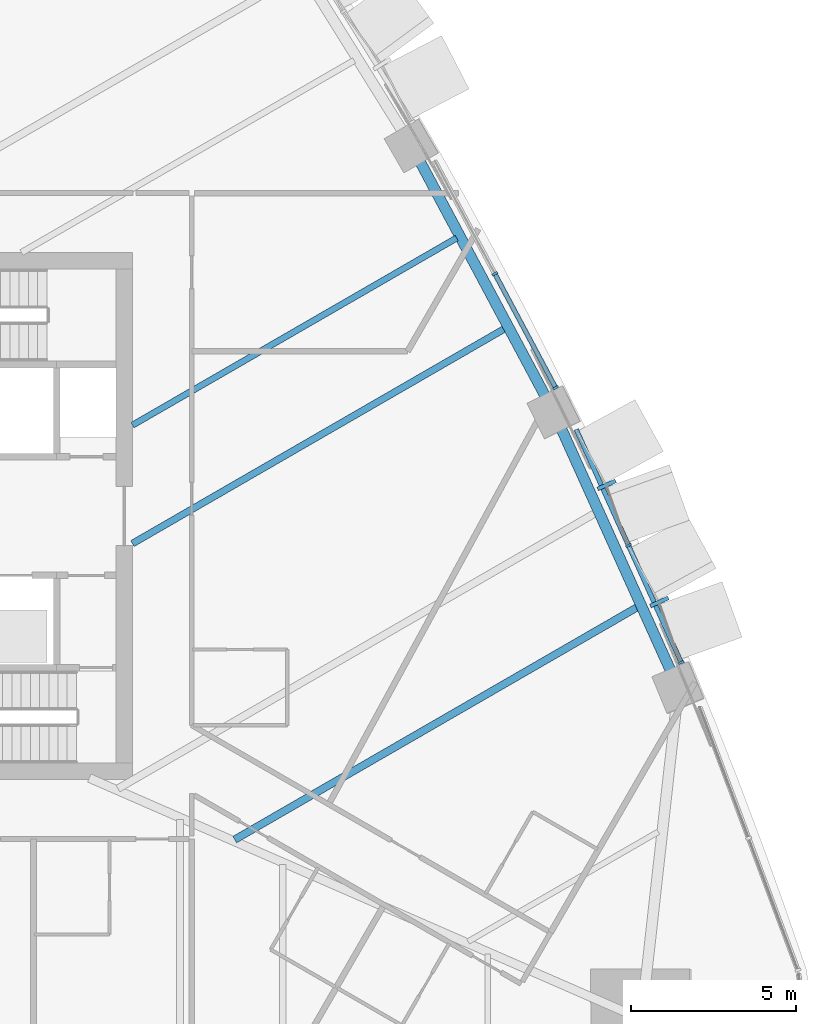
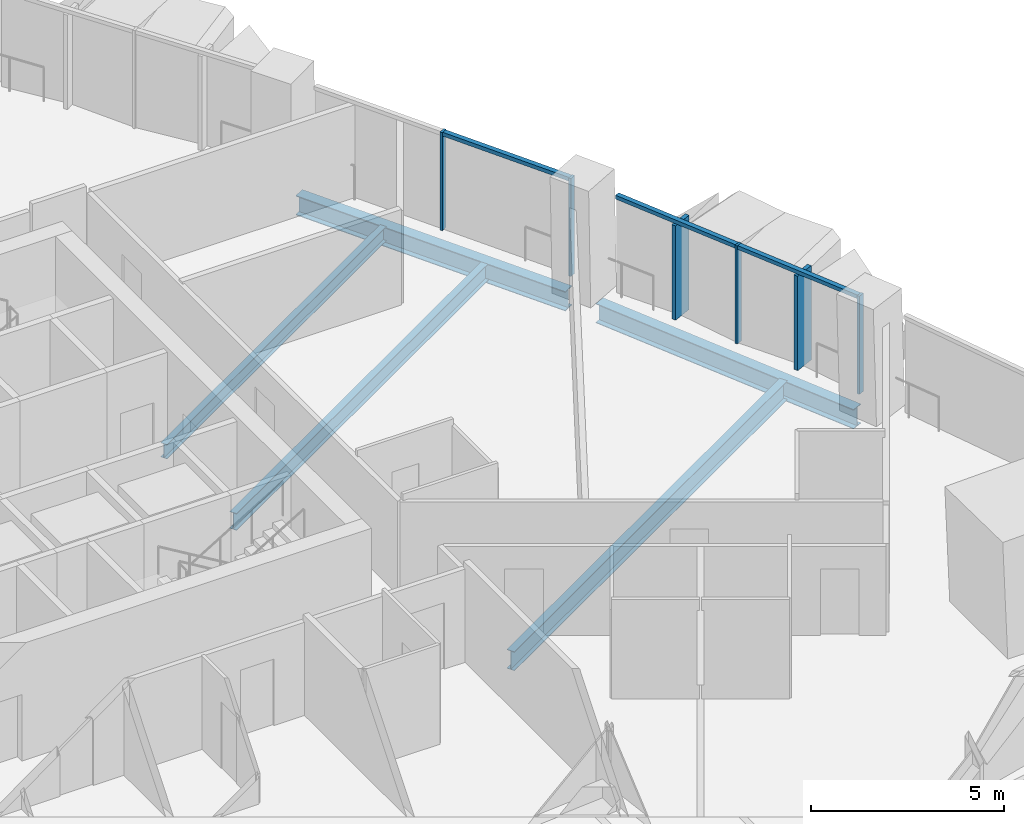
# One storey, part 5 of 22: 9 members, 5 beams, 2 elements without a shape of their own.
"""IFC4 building model written with IfcOpenShell, lengths in metres."""

import ifcopenshell
import ifcopenshell.guid

model = None  # the IFC model being written
_history = None  # IfcOwnerHistory: only IFC2X3 demands one
_inside = {}  # id of a spatial element -> (the spatial element, [elements in it])
_under = {}  # id of a project, library or spatial element -> (it, [spatial elements below it])
_declared = {}  # id of a project -> (the project, [libraries it declares])
_typed = {}  # id of a type object -> (the type object, [elements of that type])
_made_of = {}  # id of a material, layer set ... -> (it, [elements and type objects made of it])


def new_model(schema):
    """Start an empty IFC model of exactly this schema.

    Asked for "IFC4X3", IfcOpenShell would pick the latest addendum, in which some entities
    have other attributes; the version numbers below select the first issue.
    IFC2X3 requires an IfcOwnerHistory on every rooted entity: one is made here for all.
    """
    global model, _history
    if schema == "IFC4X3":
        model = ifcopenshell.file(schema_version=(4, 3, 0, 0))
    else:
        model = ifcopenshell.file(schema=schema)
    _inside.clear()
    _under.clear()
    _declared.clear()
    _typed.clear()
    _made_of.clear()
    _history = None
    if model.schema == "IFC2X3":
        org = make("IfcOrganization", Name="unknown")
        user = make(
            "IfcPersonAndOrganization",
            ThePerson=make("IfcPerson", FamilyName="unknown"),
            TheOrganization=org,
        )
        app = make(
            "IfcApplication",
            ApplicationDeveloper=org,
            Version="unknown",
            ApplicationFullName="unknown",
            ApplicationIdentifier="unknown",
        )
        _history = make(
            "IfcOwnerHistory",
            OwningUser=user,
            OwningApplication=app,
            ChangeAction="ADDED",
            CreationDate=0,
        )
    return model


def make(cls, **values):
    """One entity of the class cls with the attributes given. An attribute that is None is left unset."""
    return model.create_entity(
        cls, **{name: value for name, value in values.items() if value is not None}
    )


def rooted(cls, **values):
    """An entity with a GlobalId (a new one), such as an element, a storey or a relation."""
    return make(cls, GlobalId=ifcopenshell.guid.new(), OwnerHistory=_history, **values)


def si_unit(unit_type, name, prefix=None):
    """IfcSIUnit, for example si_unit("LENGTHUNIT", "METRE", prefix="MILLI")."""
    return make("IfcSIUnit", UnitType=unit_type, Prefix=prefix, Name=name)


def assignment(units):
    """IfcUnitAssignment: the units of a project."""
    return None if units is None else make("IfcUnitAssignment", Units=units)


def point(xyz):
    """IfcCartesianPoint."""
    return None if xyz is None else make("IfcCartesianPoint", Coordinates=xyz)


def direction(xyz):
    """IfcDirection."""
    return None if xyz is None else make("IfcDirection", DirectionRatios=xyz)


def frame(location, z_axis=None, x_axis=None):
    """IfcAxis2Placement3D, a coordinate frame: its origin and axes. An axis left out is left unset."""
    return make(
        "IfcAxis2Placement3D",
        Location=point(location),
        Axis=direction(z_axis),
        RefDirection=direction(x_axis),
    )


def frame_2d(location, x_axis=None):
    """IfcAxis2Placement2D, a coordinate frame in the plane: its origin and x axis."""
    return make(
        "IfcAxis2Placement2D", Location=point(location), RefDirection=direction(x_axis)
    )


def origin():
    """The frame at (0, 0, 0) with its axes left unset."""
    return frame((0.0, 0.0, 0.0))


def origin_2d():
    """The frame at (0, 0) in the plane with its x axis left unset."""
    return frame_2d((0.0, 0.0))


def place(relative_to, where):
    """IfcLocalPlacement: puts the frame where relative to a parent placement (None: the world)."""
    return make(
        "IfcLocalPlacement", PlacementRelTo=relative_to, RelativePlacement=where
    )


def context(
    kind, dimensions, precision=None, world=None, true_north=None, identifier=None
):
    """IfcGeometricRepresentationContext, for example the 3D "Model" context."""
    return make(
        "IfcGeometricRepresentationContext",
        ContextIdentifier=identifier,
        ContextType=kind,
        CoordinateSpaceDimension=dimensions,
        Precision=precision,
        WorldCoordinateSystem=world,
        TrueNorth=true_north,
    )


def subcontext(parent, identifier, kind, view, scale=None):
    """IfcGeometricRepresentationSubContext, for example "Body" below "Model"."""
    return make(
        "IfcGeometricRepresentationSubContext",
        ContextIdentifier=identifier,
        ContextType=kind,
        ParentContext=parent,
        TargetScale=scale,
        TargetView=view,
    )


def project(units=None, contexts=None):
    """IfcProject with its units and contexts."""
    return rooted(
        "IfcProject",
        Name="project",
        RepresentationContexts=contexts,
        UnitsInContext=assignment(units),
    )


def spatial(cls, under=None, at=None, **own):
    """A site, building, storey or space (cls), placed at a placement, below another one or the project."""
    s = rooted(cls, ObjectPlacement=at, **own)
    if under is not None:
        _under.setdefault(under.id(), (under, []))[1].append(s)
    return s


def profile(cls, at=None, kind="AREA", **sizes):
    """A parametric profile (cls). Its sizes go by their IFC names, for example OverallWidth=200.0."""
    return make(cls, ProfileType=kind, Position=at, **sizes)


def rectangle(**sizes):
    """IfcRectangleProfileDef."""
    return profile("IfcRectangleProfileDef", **sizes)


def i_section(**sizes):
    """IfcIShapeProfileDef."""
    return profile("IfcIShapeProfileDef", **sizes)


def extrude(swept, where, along, depth):
    """IfcExtrudedAreaSolid: the profile swept, set in the frame where, extruded along a direction by depth."""
    return make(
        "IfcExtrudedAreaSolid",
        SweptArea=swept,
        Position=where,
        ExtrudedDirection=direction(along),
        Depth=depth,
    )


def shape(context_of_items, identifier, shape_type, items):
    """IfcShapeRepresentation: the items that make up one representation, for example the "Body"."""
    return make(
        "IfcShapeRepresentation",
        ContextOfItems=context_of_items,
        RepresentationIdentifier=identifier,
        RepresentationType=shape_type,
        Items=items,
    )


def material(Name=None, Category=None):
    """IfcMaterial."""
    return make("IfcMaterial", Name=Name, Category=Category)


def layer(
    of_material, thickness, ventilated=None, Name=None, Category=None, Priority=None
):
    """IfcMaterialLayer: one layer of a wall or slab, of a material (None: an air gap)."""
    return make(
        "IfcMaterialLayer",
        Material=of_material,
        LayerThickness=thickness,
        IsVentilated=ventilated,
        Name=Name,
        Category=Category,
        Priority=Priority,
    )


def layer_set(layers, Name=None):
    """IfcMaterialLayerSet."""
    return make("IfcMaterialLayerSet", MaterialLayers=layers, LayerSetName=Name)


def material_profile(
    of_material, cross_section, Name=None, Category=None, Priority=None
):
    """IfcMaterialProfile: a cross section and its material."""
    return make(
        "IfcMaterialProfile",
        Name=Name,
        Material=of_material,
        Profile=cross_section,
        Priority=Priority,
        Category=Category,
    )


def profile_set(profiles, Name=None, composite=None):
    """IfcMaterialProfileSet."""
    return make(
        "IfcMaterialProfileSet",
        Name=Name,
        MaterialProfiles=profiles,
        CompositeProfile=composite,
    )


def made_of(thing, what):
    """Note that an element or type object is made of a material, layer set ...; save() writes the relation."""
    if what is not None:
        _made_of.setdefault(what.id(), (what, []))[1].append(thing)
    return thing


def type_object(cls, material=None, **own):
    """A type object (cls), such as IfcWallType, which elements share."""
    return made_of(rooted(cls, **own), material)


def element(
    cls,
    number,
    at=None,
    inside=None,
    cuts=None,
    type_object=None,
    material=None,
    context=None,
    identifier="Body",
    shape_type=None,
    held_by="IfcProductDefinitionShape",
    body=None,
    shapes=None,
    **own,
):
    """One element of the class cls, such as IfcWall. Its Tag is "e" and its number.

    at: its placement. inside: the storey or other place that contains it. cuts: it is an
    opening in that element (IfcRelVoidsElement). A single representation is given by context,
    identifier, shape_type and body (its items); several are given by shapes. held_by: the class
    of the entity that holds the representations. save() writes the other relations.
    """
    e = rooted(cls, Tag="e%d" % number, ObjectPlacement=at, **own)
    if body is not None:
        shapes = [shape(context, identifier, shape_type, body)]
    if shapes is not None:
        e.Representation = make(held_by, Representations=shapes)
    if inside is not None:
        _inside.setdefault(inside.id(), (inside, []))[1].append(e)
    if cuts is not None:
        rooted(
            "IfcRelVoidsElement", RelatingBuildingElement=cuts, RelatedOpeningElement=e
        )
    if type_object is not None:
        _typed.setdefault(type_object.id(), (type_object, []))[1].append(e)
    return made_of(e, material)


def aggregate(whole, parts):
    """IfcRelAggregates: a whole, such as a stair, and the parts it consists of."""
    return rooted("IfcRelAggregates", RelatingObject=whole, RelatedObjects=parts)


def save(model, path):
    """Write the relations noted so far, then the file.

    IfcRelAggregates (storeys below a building ...), IfcRelContainedInSpatialStructure (elements
    in a storey), IfcRelDefinesByType, IfcRelAssociatesMaterial and IfcRelDeclares: one each for
    every whole, place, type object, material and project.
    """
    for whole, parts in _under.values():
        aggregate(whole, parts)
    for where, things in _inside.values():
        rooted(
            "IfcRelContainedInSpatialStructure",
            RelatedElements=things,
            RelatingStructure=where,
        )
    for kind, things in _typed.values():
        rooted("IfcRelDefinesByType", RelatedObjects=things, RelatingType=kind)
    for what, things in _made_of.values():
        rooted("IfcRelAssociatesMaterial", RelatedObjects=things, RelatingMaterial=what)
    for by, libraries in _declared.values():
        rooted("IfcRelDeclares", RelatingContext=by, RelatedDefinitions=libraries)
    model.write(path)


model = new_model("IFC4")

# Units and contexts
model_context = context("Model", 3, precision=1e-05, world=origin(), true_north=direction((0.0, 1.0)))
body_context = subcontext(model_context, "Body", "Model", "MODEL_VIEW")
ifc_project = project(units=[si_unit("LENGTHUNIT", "METRE"), si_unit("AREAUNIT", "SQUARE_METRE"), si_unit("VOLUMEUNIT", "CUBIC_METRE"), si_unit("PLANEANGLEUNIT", "RADIAN"), si_unit("MASSUNIT", "GRAM", prefix="KILO")], contexts=[model_context])

# Site, building, storey
site_placement = place(None, origin())
site = spatial("IfcSite", under=ifc_project, at=site_placement, CompositionType="ELEMENT")
building_placement = place(site_placement, origin())
building = spatial("IfcBuilding", under=site, at=building_placement, Name="Sierra Prisma Convention Tower", CompositionType="ELEMENT")
storey_placement = place(building_placement, frame((0.0, 0.0, 73.89990234375)))
storey = spatial("IfcBuildingStorey", under=building, at=storey_placement, Name="L14", CompositionType="ELEMENT", Elevation=73.89990234375)

# Curtain wall, members
ifc_material_1 = material(Name="Aluminium and glass curtain wall", Category="aluminium")
ifc_layer_1 = layer(ifc_material_1, 0.179931640625)
ifc_layer_set_1 = layer_set([ifc_layer_1], Name="CW-2 Faceted crystal curtain wall")
curtain_wall_type_1 = type_object("IfcCurtainWallType", Name="CW-2 Faceted crystal curtain wall", PredefinedType="NOTDEFINED", material=ifc_layer_set_1)
curtain_wall_1_placement = place(storey_placement, origin())
curtain_wall_1 = element("IfcCurtainWall", 1, at=curtain_wall_1_placement, inside=storey, type_object=curtain_wall_type_1, Name="CW-2 NE2 L14", PredefinedType="NOTDEFINED")
ifc_material_2 = material(Name="Aluminium 6063-T6 bronze anodised", Category="aluminium")
ifc_material_profile_1 = material_profile(ifc_material_2, rectangle(XDim=0.1201171875, YDim=0.60009765625, at=origin_2d()), Name="ALU RIDGE BLADE 120x600")
ifc_profile_set_1 = profile_set([ifc_material_profile_1], Name="Aluminium 6063-T6 bronze anodised")
member_type_1 = type_object("IfcMemberType", Name="CW hip bronze", PredefinedType="MULLION", material=ifc_profile_set_1)
member_1_placement = place(storey_placement, frame((26.995849609375, -2.606689453125, 0.0), z_axis=(0.0, 0.0, 1.0), x_axis=(-0.410964756687, 0.911651231975, 0.0)))
member_1 = element("IfcMember", 2, at=member_1_placement, type_object=member_type_1, Name="CW-2 ridge NE2.1", PredefinedType="MULLION", context=body_context, shape_type="SweptSolid", body=[
    extrude(rectangle(XDim=0.1201171875, YDim=0.60009765625, at=origin_2d()), origin(), (0.0, 0.0, 1.0), 2.97998046875),
])
member_2_placement = place(storey_placement, frame((25.395263671875, 0.944091796875, 0.0), z_axis=(0.0, 0.0, 1.0), x_axis=(-0.410964756687, 0.911651231975, 0.0)))
member_2 = element("IfcMember", 3, at=member_2_placement, type_object=member_type_1, Name="CW-2 ridge NE2.2", PredefinedType="MULLION", context=body_context, shape_type="SweptSolid", body=[
    extrude(rectangle(XDim=0.1201171875, YDim=0.60009765625, at=origin_2d()), origin(), (0.0, 0.0, 1.0), 2.97998046875),
])
ifc_material_3 = material(Name="Aluminium 6063-T6 bronze anodised", Category="aluminium")
ifc_material_profile_2 = material_profile(ifc_material_3, rectangle(XDim=0.179931640625, YDim=0.070068359375, at=origin_2d()), Name="ALU MULLION 70x180")
ifc_profile_set_2 = profile_set([ifc_material_profile_2], Name="Aluminium 6063-T6 bronze anodised")
member_type_2 = type_object("IfcMemberType", Name="CW mullion bronze", PredefinedType="MULLION", material=ifc_profile_set_2)
member_3_placement = place(storey_placement, frame((27.6591796875, -4.444091796875, 0.0), z_axis=(0.0, 0.0, 1.0), x_axis=(-0.911651231975, -0.410964756687, 0.0)))
member_3 = element("IfcMember", 4, at=member_3_placement, type_object=member_type_2, Name="CW-1 mullion NE2.1", PredefinedType="MULLION", context=body_context, shape_type="SweptSolid", body=[
    extrude(rectangle(XDim=0.179931640625, YDim=0.070068359375, at=origin_2d()), origin(), (0.0, 0.0, 1.0), 3.10009765625),
])
member_4_placement = place(storey_placement, frame((26.058349609375, -0.89306640625, 0.0), z_axis=(0.0, 0.0, 1.0), x_axis=(-0.911651231975, -0.410964756687, 0.0)))
member_4 = element("IfcMember", 5, at=member_4_placement, type_object=member_type_2, Name="CW-1 mullion NE2.2", PredefinedType="MULLION", context=body_context, shape_type="SweptSolid", body=[
    extrude(rectangle(XDim=0.179931640625, YDim=0.070068359375, at=origin_2d()), origin(), (0.0, 0.0, 1.0), 3.10009765625),
])

ifc_material_4 = material(Name="Aluminium and glass curtain wall", Category="aluminium")
ifc_layer_2 = layer(ifc_material_4, 0.179931640625)
ifc_layer_set_2 = layer_set([ifc_layer_2], Name="CW-1 Plain shaft curtain wall")
curtain_wall_type_2 = type_object("IfcCurtainWallType", Name="CW-1 Plain shaft curtain wall", PredefinedType="NOTDEFINED", material=ifc_layer_set_2)
curtain_wall_2_placement = place(storey_placement, origin())
curtain_wall_2 = element("IfcCurtainWall", 6, at=curtain_wall_2_placement, inside=storey, type_object=curtain_wall_type_2, Name="CW-1 NE3 L14", PredefinedType="NOTDEFINED")
member_5_placement = place(storey_placement, frame((23.84619140625, 3.893798828125, 0.0), z_axis=(0.0, 0.0, 1.0), x_axis=(-0.882387121733, -0.470524141145, 0.0)))
member_5 = element("IfcMember", 7, at=member_5_placement, type_object=member_type_2, Name="CW-1 mullion NE3.1", PredefinedType="MULLION", context=body_context, shape_type="SweptSolid", body=[
    extrude(rectangle(XDim=0.179931640625, YDim=0.070068359375, at=origin_2d()), origin(), (0.0, 0.0, 1.0), 3.10009765625),
])
member_6_placement = place(storey_placement, frame((22.0, 7.35595703125, 0.0), z_axis=(0.0, 0.0, 1.0), x_axis=(-0.882387121733, -0.470524141145, 0.0)))
member_6 = element("IfcMember", 8, at=member_6_placement, type_object=member_type_2, Name="CW-1 mullion NE3.2", PredefinedType="MULLION", context=body_context, shape_type="SweptSolid", body=[
    extrude(rectangle(XDim=0.179931640625, YDim=0.070068359375, at=origin_2d()), origin(), (0.0, 0.0, 1.0), 3.10009765625),
])

# Member
ifc_material_5 = material(Name="Aluminium 6063-T6 bronze anodised", Category="aluminium")
ifc_material_profile_3 = material_profile(ifc_material_5, rectangle(XDim=0.139892578125, YDim=0.1201171875, at=origin_2d()), Name="ALU TRANSOM 120x140")
ifc_profile_set_3 = profile_set([ifc_material_profile_3], Name="Aluminium 6063-T6 bronze anodised")
member_type_3 = type_object("IfcMemberType", Name="CW transom bronze", PredefinedType="USERDEFINED", material=ifc_profile_set_3)
member_7_placement = place(storey_placement, frame((27.644775390625, -4.412353515625, 3.0400390625), z_axis=(-0.410959037016, 0.911653810333, 0.0), x_axis=(-0.911653810333, -0.410959037016, 0.0)))
member_7 = element("IfcMember", 9, at=member_7_placement, type_object=member_type_3, Name="CW-1 transom NE2.1", ObjectType="TRANSOM", PredefinedType="USERDEFINED", context=body_context, shape_type="SweptSolid", body=[
    extrude(rectangle(XDim=0.139892578125, YDim=0.1201171875, at=origin_2d()), origin(), (0.0, 0.0, 1.0), 3.8251953125),
])

member_8_placement = place(storey_placement, frame((26.0439453125, -0.861328125, 3.0400390625), z_axis=(-0.410959037016, 0.911653810333, 0.0), x_axis=(-0.911653810333, -0.410959037016, 0.0)))
member_8 = element("IfcMember", 10, at=member_8_placement, type_object=member_type_3, Name="CW-1 transom NE2.2", ObjectType="TRANSOM", PredefinedType="USERDEFINED", context=body_context, shape_type="SweptSolid", body=[
    extrude(rectangle(XDim=0.139892578125, YDim=0.1201171875, at=origin_2d()), origin(), (0.0, 0.0, 1.0), 3.8251953125),
])

aggregate(curtain_wall_1, [member_3, member_4, member_7, member_1, member_8, member_2])

member_9_placement = place(storey_placement, frame((23.829833984375, 3.924560546875, 3.0400390625), z_axis=(-0.470499455418, 0.882400284707, 0.0), x_axis=(-0.882400284707, -0.470499455418, 0.0)))
member_9 = element("IfcMember", 11, at=member_9_placement, type_object=member_type_3, Name="CW-1 transom NE3.1", ObjectType="TRANSOM", PredefinedType="USERDEFINED", context=body_context, shape_type="SweptSolid", body=[
    extrude(rectangle(XDim=0.139892578125, YDim=0.1201171875, at=origin_2d()), origin(), (0.0, 0.0, 1.0), 3.853759765625),
])

aggregate(curtain_wall_2, [member_5, member_6, member_9])

# Beams
ifc_material_6 = material(Name="Steel ASTM A992 Gr 50", Category="steel")
ifc_material_profile_4 = material_profile(ifc_material_6, i_section(OverallWidth=0.18994140625, OverallDepth=0.45703125, WebThickness=0.009033203125, FlangeThickness=0.014404296875, at=origin_2d()), Name="W460x74")
ifc_profile_set_4 = profile_set([ifc_material_profile_4], Name="Steel ASTM A992 Gr 50")
beam_type_1 = type_object("IfcBeamType", Name="Floor joist W460x74", PredefinedType="JOIST", material=ifc_profile_set_4)
beam_1_placement = place(storey_placement, frame((20.841064453125, 8.439453125, -0.37841796875), z_axis=(-0.866029236674, -0.499993361182, 0.0), x_axis=(0.499993361182, -0.866029236674, 0.0)))
element("IfcBeam", 12, at=beam_1_placement, inside=storey, type_object=beam_type_1, Name="Floor joist L14 NE08", PredefinedType="JOIST", context=body_context, shape_type="SweptSolid", body=[
    extrude(i_section(OverallWidth=0.18994140625, OverallDepth=0.45703125, WebThickness=0.009033203125, FlangeThickness=0.014404296875, at=origin_2d()), origin(), (0.0, 0.0, 1.0), 11.363525390625),
])
ifc_material_7 = material(Name="Steel ASTM A992 Gr 50", Category="steel")
ifc_material_profile_5 = material_profile(ifc_material_7, i_section(OverallWidth=0.208984375, OverallDepth=0.532958984375, WebThickness=0.01025390625, FlangeThickness=0.015625, at=origin_2d()), Name="W530x92")
ifc_profile_set_5 = profile_set([ifc_material_profile_5], Name="Steel ASTM A992 Gr 50")
beam_type_2 = type_object("IfcBeamType", Name="Floor joist W530x92", PredefinedType="JOIST", material=ifc_profile_set_5)
beam_2_placement = place(storey_placement, frame((22.307861328125, 5.693115234375, -0.41650390625), z_axis=(-0.866026475891, -0.499998143053, 0.0), x_axis=(0.499998143053, -0.866026475891, 0.0)))
element("IfcBeam", 13, at=beam_2_placement, inside=storey, type_object=beam_type_2, Name="Floor joist L14 NE07", PredefinedType="JOIST", context=body_context, shape_type="SweptSolid", body=[
    extrude(i_section(OverallWidth=0.208984375, OverallDepth=0.532958984375, WebThickness=0.01025390625, FlangeThickness=0.015625, at=origin_2d()), origin(), (0.0, 0.0, 1.0), 13.05712890625),
])
ifc_material_8 = material(Name="Steel ASTM A992 Gr 50", Category="steel")
ifc_material_profile_6 = material_profile(ifc_material_8, i_section(OverallWidth=0.22802734375, OverallDepth=0.60302734375, WebThickness=0.010498046875, FlangeThickness=0.014892578125, at=origin_2d()), Name="W610x101")
ifc_profile_set_6 = profile_set([ifc_material_profile_6], Name="Steel ASTM A992 Gr 50")
beam_type_3 = type_object("IfcBeamType", Name="Floor joist W610x101", PredefinedType="JOIST", material=ifc_profile_set_6)
beam_3_placement = place(storey_placement, frame((26.339111328125, -2.758544921875, -0.451416015625), z_axis=(-0.866022405481, -0.500005193178, 0.0), x_axis=(0.500005193178, -0.866022405481, 0.0)))
element("IfcBeam", 14, at=beam_3_placement, inside=storey, type_object=beam_type_3, Name="Floor joist L14 NE04", PredefinedType="JOIST", context=body_context, shape_type="SweptSolid", body=[
    extrude(i_section(OverallWidth=0.22802734375, OverallDepth=0.60302734375, WebThickness=0.010498046875, FlangeThickness=0.014892578125, at=origin_2d()), origin(), (0.0, 0.0, 1.0), 14.126708984375),
])
ifc_material_9 = material(Name="Steel ASTM A992 Gr 50", Category="steel")
ifc_material_profile_7 = material_profile(ifc_material_9, i_section(OverallWidth=0.324951171875, OverallDepth=0.615966796875, WebThickness=0.013916015625, FlangeThickness=0.021484375, at=origin_2d()), Name="W610x174")
ifc_profile_set_7 = profile_set([ifc_material_profile_7], Name="Steel ASTM A992 Gr 50")
beam_type_4 = type_object("IfcBeamType", Name="Spandrel beam W610x174", PredefinedType="BEAM", material=ifc_profile_set_7)
for number, where, z_axis, x_axis, name in (
    (15, (27.37451171875, -4.77685546875, -0.4580078125), (-0.411670323983, 0.9113328395, 0.0), (-0.9113328395, -0.411670323983, 0.0), "Spandrel L14-08"),
    (16, (23.568359375, 3.571533203125, -0.4580078125), (-0.471075565168, 0.882092859001, 0.0), (-0.882092859001, -0.471075565168, 0.0), "Spandrel L14-09"),
):
    element("IfcBeam", number, at=place(storey_placement, frame(where, z_axis=z_axis, x_axis=x_axis)), inside=storey, type_object=beam_type_4, Name=name, PredefinedType="BEAM", context=body_context, shape_type="SweptSolid", body=[
        extrude(i_section(OverallWidth=0.324951171875, OverallDepth=0.615966796875, WebThickness=0.013916015625, FlangeThickness=0.021484375, at=origin_2d()), origin(), (0.0, 0.0, 1.0), 8.215576171875),
    ])

save(model, "model.ifc")
